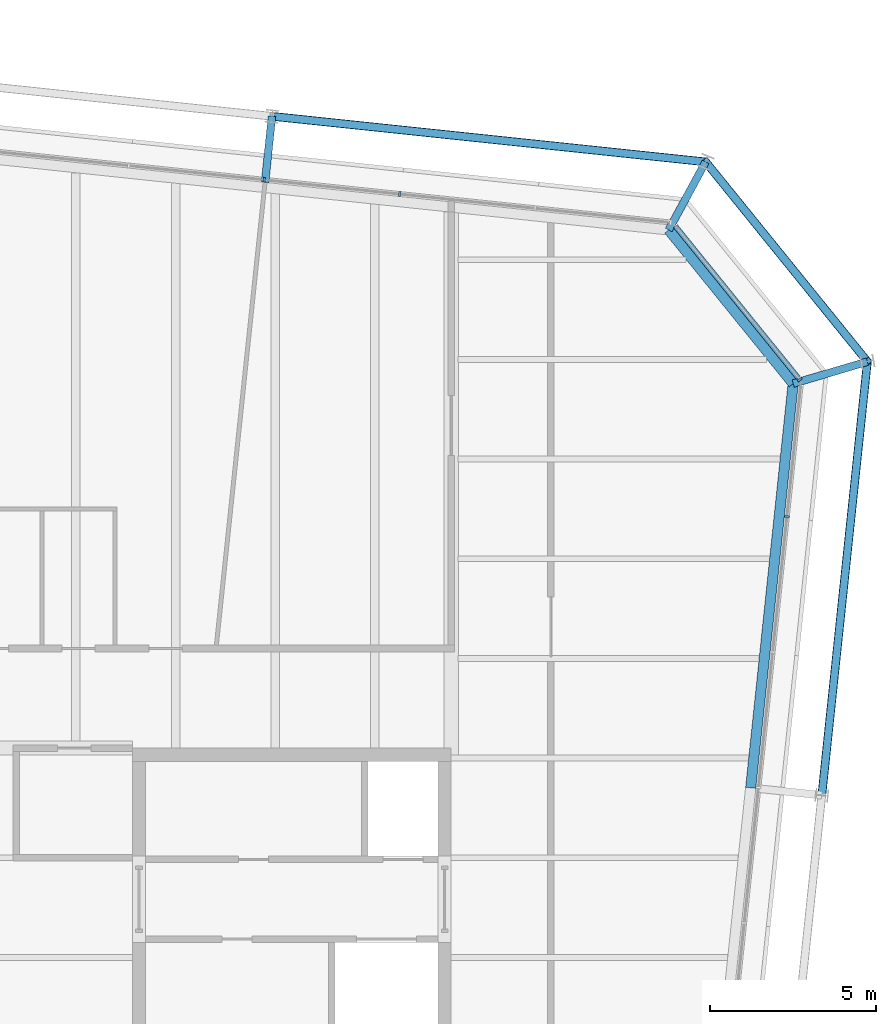
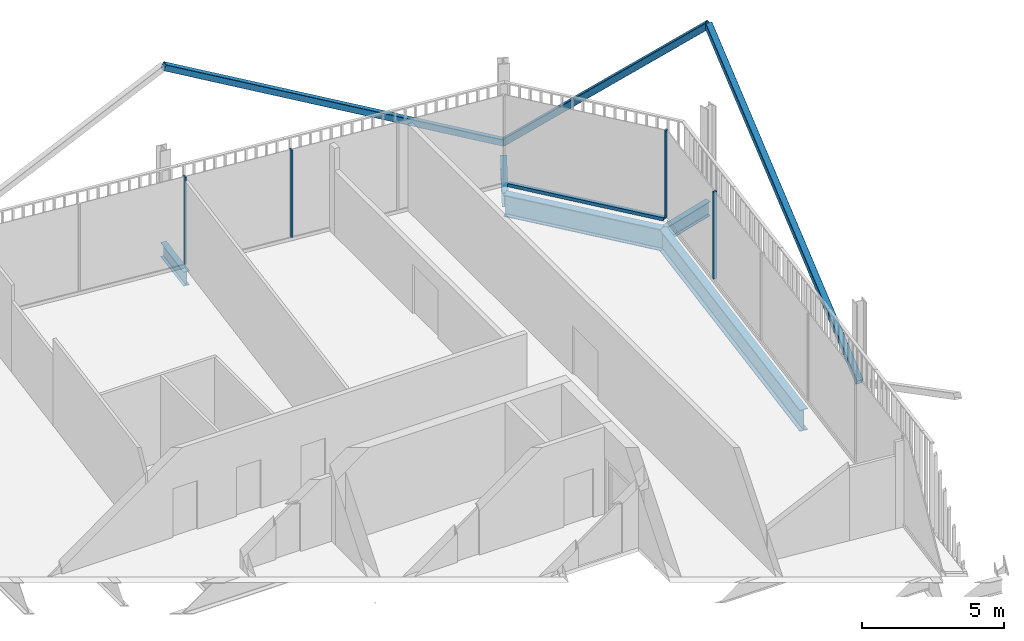
# One storey, part 15 of 21: 8 members, 5 beams, 3 elements without a shape of their own.
"""IFC4 building model written with IfcOpenShell, lengths in metres."""

import ifcopenshell
import ifcopenshell.guid

model = None  # the IFC model being written
_history = None  # IfcOwnerHistory: only IFC2X3 demands one
_inside = {}  # id of a spatial element -> (the spatial element, [elements in it])
_under = {}  # id of a project, library or spatial element -> (it, [spatial elements below it])
_declared = {}  # id of a project -> (the project, [libraries it declares])
_typed = {}  # id of a type object -> (the type object, [elements of that type])
_made_of = {}  # id of a material, layer set ... -> (it, [elements and type objects made of it])


def new_model(schema):
    """Start an empty IFC model of exactly this schema.

    Asked for "IFC4X3", IfcOpenShell would pick the latest addendum, in which some entities
    have other attributes; the version numbers below select the first issue.
    IFC2X3 requires an IfcOwnerHistory on every rooted entity: one is made here for all.
    """
    global model, _history
    if schema == "IFC4X3":
        model = ifcopenshell.file(schema_version=(4, 3, 0, 0))
    else:
        model = ifcopenshell.file(schema=schema)
    _inside.clear()
    _under.clear()
    _declared.clear()
    _typed.clear()
    _made_of.clear()
    _history = None
    if model.schema == "IFC2X3":
        org = make("IfcOrganization", Name="unknown")
        user = make(
            "IfcPersonAndOrganization",
            ThePerson=make("IfcPerson", FamilyName="unknown"),
            TheOrganization=org,
        )
        app = make(
            "IfcApplication",
            ApplicationDeveloper=org,
            Version="unknown",
            ApplicationFullName="unknown",
            ApplicationIdentifier="unknown",
        )
        _history = make(
            "IfcOwnerHistory",
            OwningUser=user,
            OwningApplication=app,
            ChangeAction="ADDED",
            CreationDate=0,
        )
    return model


def make(cls, **values):
    """One entity of the class cls with the attributes given. An attribute that is None is left unset."""
    return model.create_entity(
        cls, **{name: value for name, value in values.items() if value is not None}
    )


def rooted(cls, **values):
    """An entity with a GlobalId (a new one), such as an element, a storey or a relation."""
    return make(cls, GlobalId=ifcopenshell.guid.new(), OwnerHistory=_history, **values)


def si_unit(unit_type, name, prefix=None):
    """IfcSIUnit, for example si_unit("LENGTHUNIT", "METRE", prefix="MILLI")."""
    return make("IfcSIUnit", UnitType=unit_type, Prefix=prefix, Name=name)


def assignment(units):
    """IfcUnitAssignment: the units of a project."""
    return None if units is None else make("IfcUnitAssignment", Units=units)


def point(xyz):
    """IfcCartesianPoint."""
    return None if xyz is None else make("IfcCartesianPoint", Coordinates=xyz)


def direction(xyz):
    """IfcDirection."""
    return None if xyz is None else make("IfcDirection", DirectionRatios=xyz)


def frame(location, z_axis=None, x_axis=None):
    """IfcAxis2Placement3D, a coordinate frame: its origin and axes. An axis left out is left unset."""
    return make(
        "IfcAxis2Placement3D",
        Location=point(location),
        Axis=direction(z_axis),
        RefDirection=direction(x_axis),
    )


def frame_2d(location, x_axis=None):
    """IfcAxis2Placement2D, a coordinate frame in the plane: its origin and x axis."""
    return make(
        "IfcAxis2Placement2D", Location=point(location), RefDirection=direction(x_axis)
    )


def origin():
    """The frame at (0, 0, 0) with its axes left unset."""
    return frame((0.0, 0.0, 0.0))


def origin_2d():
    """The frame at (0, 0) in the plane with its x axis left unset."""
    return frame_2d((0.0, 0.0))


def place(relative_to, where):
    """IfcLocalPlacement: puts the frame where relative to a parent placement (None: the world)."""
    return make(
        "IfcLocalPlacement", PlacementRelTo=relative_to, RelativePlacement=where
    )


def context(
    kind, dimensions, precision=None, world=None, true_north=None, identifier=None
):
    """IfcGeometricRepresentationContext, for example the 3D "Model" context."""
    return make(
        "IfcGeometricRepresentationContext",
        ContextIdentifier=identifier,
        ContextType=kind,
        CoordinateSpaceDimension=dimensions,
        Precision=precision,
        WorldCoordinateSystem=world,
        TrueNorth=true_north,
    )


def subcontext(parent, identifier, kind, view, scale=None):
    """IfcGeometricRepresentationSubContext, for example "Body" below "Model"."""
    return make(
        "IfcGeometricRepresentationSubContext",
        ContextIdentifier=identifier,
        ContextType=kind,
        ParentContext=parent,
        TargetScale=scale,
        TargetView=view,
    )


def project(units=None, contexts=None):
    """IfcProject with its units and contexts."""
    return rooted(
        "IfcProject",
        Name="project",
        RepresentationContexts=contexts,
        UnitsInContext=assignment(units),
    )


def spatial(cls, under=None, at=None, **own):
    """A site, building, storey or space (cls), placed at a placement, below another one or the project."""
    s = rooted(cls, ObjectPlacement=at, **own)
    if under is not None:
        _under.setdefault(under.id(), (under, []))[1].append(s)
    return s


def profile(cls, at=None, kind="AREA", **sizes):
    """A parametric profile (cls). Its sizes go by their IFC names, for example OverallWidth=200.0."""
    return make(cls, ProfileType=kind, Position=at, **sizes)


def rectangle(**sizes):
    """IfcRectangleProfileDef."""
    return profile("IfcRectangleProfileDef", **sizes)


def hollow_rectangle(**sizes):
    """IfcRectangleHollowProfileDef."""
    return profile("IfcRectangleHollowProfileDef", **sizes)


def i_section(**sizes):
    """IfcIShapeProfileDef."""
    return profile("IfcIShapeProfileDef", **sizes)


def extrude(swept, where, along, depth):
    """IfcExtrudedAreaSolid: the profile swept, set in the frame where, extruded along a direction by depth."""
    return make(
        "IfcExtrudedAreaSolid",
        SweptArea=swept,
        Position=where,
        ExtrudedDirection=direction(along),
        Depth=depth,
    )


def shape(context_of_items, identifier, shape_type, items):
    """IfcShapeRepresentation: the items that make up one representation, for example the "Body"."""
    return make(
        "IfcShapeRepresentation",
        ContextOfItems=context_of_items,
        RepresentationIdentifier=identifier,
        RepresentationType=shape_type,
        Items=items,
    )


def material(Name=None, Category=None):
    """IfcMaterial."""
    return make("IfcMaterial", Name=Name, Category=Category)


def layer(
    of_material, thickness, ventilated=None, Name=None, Category=None, Priority=None
):
    """IfcMaterialLayer: one layer of a wall or slab, of a material (None: an air gap)."""
    return make(
        "IfcMaterialLayer",
        Material=of_material,
        LayerThickness=thickness,
        IsVentilated=ventilated,
        Name=Name,
        Category=Category,
        Priority=Priority,
    )


def layer_set(layers, Name=None):
    """IfcMaterialLayerSet."""
    return make("IfcMaterialLayerSet", MaterialLayers=layers, LayerSetName=Name)


def material_profile(
    of_material, cross_section, Name=None, Category=None, Priority=None
):
    """IfcMaterialProfile: a cross section and its material."""
    return make(
        "IfcMaterialProfile",
        Name=Name,
        Material=of_material,
        Profile=cross_section,
        Priority=Priority,
        Category=Category,
    )


def profile_set(profiles, Name=None, composite=None):
    """IfcMaterialProfileSet."""
    return make(
        "IfcMaterialProfileSet",
        Name=Name,
        MaterialProfiles=profiles,
        CompositeProfile=composite,
    )


def made_of(thing, what):
    """Note that an element or type object is made of a material, layer set ...; save() writes the relation."""
    if what is not None:
        _made_of.setdefault(what.id(), (what, []))[1].append(thing)
    return thing


def type_object(cls, material=None, **own):
    """A type object (cls), such as IfcWallType, which elements share."""
    return made_of(rooted(cls, **own), material)


def element(
    cls,
    number,
    at=None,
    inside=None,
    cuts=None,
    type_object=None,
    material=None,
    context=None,
    identifier="Body",
    shape_type=None,
    held_by="IfcProductDefinitionShape",
    body=None,
    shapes=None,
    **own,
):
    """One element of the class cls, such as IfcWall. Its Tag is "e" and its number.

    at: its placement. inside: the storey or other place that contains it. cuts: it is an
    opening in that element (IfcRelVoidsElement). A single representation is given by context,
    identifier, shape_type and body (its items); several are given by shapes. held_by: the class
    of the entity that holds the representations. save() writes the other relations.
    """
    e = rooted(cls, Tag="e%d" % number, ObjectPlacement=at, **own)
    if body is not None:
        shapes = [shape(context, identifier, shape_type, body)]
    if shapes is not None:
        e.Representation = make(held_by, Representations=shapes)
    if inside is not None:
        _inside.setdefault(inside.id(), (inside, []))[1].append(e)
    if cuts is not None:
        rooted(
            "IfcRelVoidsElement", RelatingBuildingElement=cuts, RelatedOpeningElement=e
        )
    if type_object is not None:
        _typed.setdefault(type_object.id(), (type_object, []))[1].append(e)
    return made_of(e, material)


def aggregate(whole, parts):
    """IfcRelAggregates: a whole, such as a stair, and the parts it consists of."""
    return rooted("IfcRelAggregates", RelatingObject=whole, RelatedObjects=parts)


def save(model, path):
    """Write the relations noted so far, then the file.

    IfcRelAggregates (storeys below a building ...), IfcRelContainedInSpatialStructure (elements
    in a storey), IfcRelDefinesByType, IfcRelAssociatesMaterial and IfcRelDeclares: one each for
    every whole, place, type object, material and project.
    """
    for whole, parts in _under.values():
        aggregate(whole, parts)
    for where, things in _inside.values():
        rooted(
            "IfcRelContainedInSpatialStructure",
            RelatedElements=things,
            RelatingStructure=where,
        )
    for kind, things in _typed.values():
        rooted("IfcRelDefinesByType", RelatedObjects=things, RelatingType=kind)
    for what, things in _made_of.values():
        rooted("IfcRelAssociatesMaterial", RelatedObjects=things, RelatingMaterial=what)
    for by, libraries in _declared.values():
        rooted("IfcRelDeclares", RelatingContext=by, RelatedDefinitions=libraries)
    model.write(path)


model = new_model("IFC4")

# Units and contexts
model_context = context("Model", 3, precision=1e-05, world=origin(), true_north=direction((0.0, 1.0)))
body_context = subcontext(model_context, "Body", "Model", "MODEL_VIEW")
ifc_project = project(units=[si_unit("LENGTHUNIT", "METRE"), si_unit("AREAUNIT", "SQUARE_METRE"), si_unit("VOLUMEUNIT", "CUBIC_METRE"), si_unit("PLANEANGLEUNIT", "RADIAN"), si_unit("MASSUNIT", "GRAM", prefix="KILO")], contexts=[model_context])

# Site, building, storey
site_placement = place(None, origin())
site = spatial("IfcSite", under=ifc_project, at=site_placement, CompositionType="ELEMENT")
building_placement = place(site_placement, origin())
building = spatial("IfcBuilding", under=site, at=building_placement, Name="Millrace Tower", CompositionType="ELEMENT")
storey_placement = place(building_placement, frame((0.0, 0.0, 283.800048828125)))
storey = spatial("IfcBuildingStorey", under=building, at=storey_placement, Name="L65", CompositionType="ELEMENT", Elevation=283.800048828125)

# Curtain wall, member
ifc_material_1 = material(Name="Aluminium and glass", Category="aluminium")
ifc_layer = layer(ifc_material_1, 0.14990234375)
ifc_layer_set = layer_set([ifc_layer], Name="Aluminium and glass")
curtain_wall_type = type_object("IfcCurtainWallType", Name="CW-1 office vision curtain wall", PredefinedType="NOTDEFINED", material=ifc_layer_set)
placement = place(storey_placement, origin())
curtain_wall_1 = element("IfcCurtainWall", 1, at=placement, inside=storey, type_object=curtain_wall_type, Name="Curtain wall E-F04 L65", PredefinedType="NOTDEFINED")
ifc_material_2 = material(Name="Aluminium", Category="aluminium")
ifc_material_profile_1 = material_profile(ifc_material_2, rectangle(XDim=0.06494140625, YDim=0.14990234375, at=origin_2d()))
ifc_profile_set_1 = profile_set([ifc_material_profile_1], Name="Aluminium")
member_type_1 = type_object("IfcMemberType", Name="CW-1 office vision curtain wall mullion", PredefinedType="MULLION", material=ifc_profile_set_1)
member_1_placement = place(storey_placement, frame((24.4033203125, 16.267822265625, 0.139892578125), z_axis=(0.0, 0.0, 1.0), x_axis=(0.104528455196, 0.994521896217, 0.0)))
member_1 = element("IfcMember", 2, at=member_1_placement, type_object=member_type_1, Name="CW1 mullion E-F04.9", PredefinedType="MULLION", context=body_context, shape_type="SweptSolid", body=[
    extrude(rectangle(XDim=0.06494140625, YDim=0.14990234375, at=origin_2d()), origin(), (0.0, 0.0, 1.0), 3.760009765625),
])
aggregate(curtain_wall_1, [member_1])

curtain_wall_2 = element("IfcCurtainWall", 3, at=placement, inside=storey, type_object=curtain_wall_type, Name="Curtain wall E-F05 L65", PredefinedType="NOTDEFINED")
member_2_placement = place(storey_placement, frame((24.791748046875, 20.393310546875, 0.139892578125), z_axis=(0.0, 0.0, 1.0), x_axis=(-0.629320278945, 0.777146052237, 0.0)))
member_2 = element("IfcMember", 4, at=member_2_placement, type_object=member_type_1, Name="CW1 mullion E-F05.1", PredefinedType="MULLION", context=body_context, shape_type="SweptSolid", body=[
    extrude(rectangle(XDim=0.06494140625, YDim=0.14990234375, at=origin_2d()), origin(), (0.0, 0.0, 1.0), 3.760009765625),
])

# Curtain wall, members
curtain_wall_3 = element("IfcCurtainWall", 5, at=placement, inside=storey, type_object=curtain_wall_type, Name="Curtain wall E-F06 L65", PredefinedType="NOTDEFINED")
member_3_placement = place(storey_placement, frame((12.747314453125, 25.98193359375, 0.139892578125), z_axis=(0.0, 0.0, 1.0), x_axis=(-0.994521896217, 0.104528455196, 0.0)))
member_3 = element("IfcMember", 6, at=member_3_placement, type_object=member_type_1, Name="CW1 mullion E-F06.3", PredefinedType="MULLION", context=body_context, shape_type="SweptSolid", body=[
    extrude(rectangle(XDim=0.06494140625, YDim=0.14990234375, at=origin_2d()), origin(), (0.0, 0.0, 1.0), 3.760009765625),
])
member_4_placement = place(storey_placement, frame((8.669921875, 26.410400390625, 0.139892578125), z_axis=(0.0, 0.0, 1.0), x_axis=(-0.994521896217, 0.104528455196, 0.0)))
member_4 = element("IfcMember", 7, at=member_4_placement, type_object=member_type_1, Name="CW1 mullion E-F06.4", PredefinedType="MULLION", context=body_context, shape_type="SweptSolid", body=[
    extrude(rectangle(XDim=0.06494140625, YDim=0.14990234375, at=origin_2d()), origin(), (0.0, 0.0, 1.0), 3.760009765625),
])
aggregate(curtain_wall_3, [member_3, member_4])

# Member
ifc_material_3 = material(Name="Aluminium", Category="aluminium")
ifc_material_profile_2 = material_profile(ifc_material_3, rectangle(XDim=0.14990234375, YDim=0.139892578125, at=origin_2d()))
ifc_profile_set_2 = profile_set([ifc_material_profile_2], Name="Aluminium")
member_type_2 = type_object("IfcMemberType", Name="CW-1 office vision curtain wall transom", PredefinedType="USERDEFINED", material=ifc_profile_set_2)
member_5_placement = place(storey_placement, frame((24.749267578125, 20.44580078125, 0.070068359375), z_axis=(-0.629321221277, 0.777145289151, 0.0), x_axis=(-0.777145289151, -0.629321221277, 0.0)))
member_5 = element("IfcMember", 8, at=member_5_placement, type_object=member_type_2, Name="CW1 transom E-F05.1", ObjectType="TRANSOM", PredefinedType="USERDEFINED", context=body_context, shape_type="SweptSolid", body=[
    extrude(rectangle(XDim=0.14990234375, YDim=0.139892578125, at=origin_2d()), origin(), (0.0, 0.0, 1.0), 5.881103515625),
])

aggregate(curtain_wall_2, [member_2, member_5])

# Members
ifc_material_4 = material(Name="Steel ASTM A500 Grade C", Category="steel")
ifc_material_profile_3 = material_profile(ifc_material_4, hollow_rectangle(XDim=0.25390625, YDim=0.25390625, WallThickness=0.0126953125, InnerFilletRadius=0.00634765625, OuterFilletRadius=0.01904296875, at=origin_2d()))
ifc_profile_set_3 = profile_set([ifc_material_profile_3], Name="Steel ASTM A500 Grade C")
member_type_3 = type_object("IfcMemberType", Name="Exoskeleton brace HSS10x10x1/2", PredefinedType="BRACE", material=ifc_profile_set_3)
member_6_placement = place(storey_placement, frame((25.457275390625, 7.879150390625, 0.39990234375), z_axis=(0.092236950483, 0.877571982182, 0.470488853274), x_axis=(-0.994521846076, 0.104528932251, 0.0)))
element("IfcMember", 9, at=member_6_placement, inside=storey, type_object=member_type_3, Name="BRC-E-L65-08", PredefinedType="BRACE", context=body_context, shape_type="SweptSolid", body=[
    extrude(hollow_rectangle(XDim=0.25390625, YDim=0.25390625, WallThickness=0.0126953125, InnerFilletRadius=0.00634765625, OuterFilletRadius=0.01904296875, at=origin_2d()), origin(), (0.0, 0.0, 1.0), 14.878173828125),
])
member_7_placement = place(storey_placement, frame((21.9599609375, 26.94921875, 0.39990234375), z_axis=(0.466694392708, -0.57631352586, 0.670864415308), x_axis=(0.777142728993, 0.62932438279, 0.0)))
element("IfcMember", 10, at=member_7_placement, inside=storey, type_object=member_type_3, Name="BRC-E-L65-09", PredefinedType="BRACE", context=body_context, shape_type="SweptSolid", body=[
    extrude(hollow_rectangle(XDim=0.25390625, YDim=0.25390625, WallThickness=0.0126953125, InnerFilletRadius=0.00634765625, OuterFilletRadius=0.01904296875, at=origin_2d()), origin(), (0.0, 0.0, 1.0), 10.434326171875),
])
member_8_placement = place(storey_placement, frame((21.9599609375, 26.94921875, 0.39990234375), z_axis=(-0.877571982182, 0.092236950483, 0.470488853274), x_axis=(-0.104528932251, -0.994521846076, 0.0)))
element("IfcMember", 11, at=member_8_placement, inside=storey, type_object=member_type_3, Name="BRC-E-L65-10", PredefinedType="BRACE", context=body_context, shape_type="SweptSolid", body=[
    extrude(hollow_rectangle(XDim=0.25390625, YDim=0.25390625, WallThickness=0.0126953125, InnerFilletRadius=0.00634765625, OuterFilletRadius=0.01904296875, at=origin_2d()), origin(), (0.0, 0.0, 1.0), 14.878173828125),
])

# Beams
ifc_material_5 = material(Name="Steel ASTM A992 Grade 50", Category="steel")
ifc_material_profile_4 = material_profile(ifc_material_5, i_section(OverallWidth=0.23046875, OverallDepth=0.6171875, WebThickness=0.01318359375, FlangeThickness=0.022216796875, FilletRadius=0.012939453125, at=origin_2d()))
ifc_profile_set_4 = profile_set([ifc_material_profile_4], Name="Steel ASTM A992 Grade 50")
beam_type_1 = type_object("IfcBeamType", Name="Link beam W24x94", PredefinedType="BEAM", material=ifc_profile_set_4)
beam_1_placement = place(storey_placement, frame((8.6943359375, 26.33251953125, -0.46875), z_axis=(0.104494148666, 0.99452550138, 0.0), x_axis=(-0.99452550138, 0.104494148666, 0.0)))
element("IfcBeam", 12, at=beam_1_placement, inside=storey, type_object=beam_type_1, Name="LNK-E-L65-S1-07", PredefinedType="BEAM", context=body_context, shape_type="SweptSolid", body=[
    extrude(i_section(OverallWidth=0.23046875, OverallDepth=0.6171875, WebThickness=0.01318359375, FlangeThickness=0.022216796875, FilletRadius=0.012939453125, at=origin_2d()), origin(), (0.0, 0.0, 1.0), 2.0),
])
for number, where, z_axis, x_axis, name in (
    (13, (20.84765625, 24.900634765625, -0.46875), (0.477163510307, 0.87881453358, 0.0), (-0.87881453358, 0.477163510307, 0.0), "LNK-E-L65-S1-08"),
    (14, (24.594482421875, 20.273681640625, -0.46875), (0.958815015936, 0.284031275065, 0.0), (-0.284031275065, 0.958815015936, 0.0), "LNK-E-L65-S1-09"),
):
    element("IfcBeam", number, at=place(storey_placement, frame(where, z_axis=z_axis, x_axis=x_axis)), inside=storey, type_object=beam_type_1, Name=name, PredefinedType="BEAM", context=body_context, shape_type="SweptSolid", body=[
        extrude(i_section(OverallWidth=0.23046875, OverallDepth=0.6171875, WebThickness=0.01318359375, FlangeThickness=0.022216796875, FilletRadius=0.012939453125, at=origin_2d()), origin(), (0.0, 0.0, 1.0), 2.3310546875),
    ])
ifc_material_6 = material(Name="Steel ASTM A992 Grade 50", Category="steel")
ifc_material_profile_5 = material_profile(ifc_material_6, i_section(OverallWidth=0.307373046875, OverallDepth=0.927001953125, WebThickness=0.01953125, FlangeThickness=0.031982421875, FilletRadius=0.01904296875, at=origin_2d()))
ifc_profile_set_5 = profile_set([ifc_material_profile_5], Name="Steel ASTM A992 Grade 50")
beam_type_2 = type_object("IfcBeamType", Name="Ring beam medium span W36x194", PredefinedType="SPANDREL", material=ifc_profile_set_5)
beam_2_placement = place(storey_placement, frame((24.594482421875, 20.273681640625, -0.62353515625), z_axis=(-0.104527955888, -0.994521948696, 0.0), x_axis=(0.994521948696, -0.104527955888, 0.0)))
element("IfcBeam", 15, at=beam_2_placement, inside=storey, type_object=beam_type_2, Name="RNG-E-L65-S1-09", PredefinedType="SPANDREL", context=body_context, shape_type="SweptSolid", body=[
    extrude(i_section(OverallWidth=0.307373046875, OverallDepth=0.927001953125, WebThickness=0.01953125, FlangeThickness=0.031982421875, FilletRadius=0.01904296875, at=origin_2d()), origin(), (0.0, 0.0, 1.0), 12.236572265625),
])
ifc_material_7 = material(Name="Steel ASTM A992 Grade 50", Category="steel")
ifc_material_profile_6 = material_profile(ifc_material_7, i_section(OverallWidth=0.307373046875, OverallDepth=0.927001953125, WebThickness=0.01953125, FlangeThickness=0.031982421875, FilletRadius=0.01904296875, at=origin_2d()))
ifc_profile_set_6 = profile_set([ifc_material_profile_6], Name="Steel ASTM A992 Grade 50")
beam_type_3 = type_object("IfcBeamType", Name="Ring beam short span W36x194", PredefinedType="SPANDREL", material=ifc_profile_set_6)
beam_3_placement = place(storey_placement, frame((20.84765625, 24.900634765625, -0.62353515625), z_axis=(0.629319722443, -0.777146502883, 0.0), x_axis=(0.777146502883, 0.629319722443, 0.0)))
element("IfcBeam", 16, at=beam_3_placement, inside=storey, type_object=beam_type_3, Name="RNG-E-L65-S1-08", PredefinedType="SPANDREL", context=body_context, shape_type="SweptSolid", body=[
    extrude(i_section(OverallWidth=0.307373046875, OverallDepth=0.927001953125, WebThickness=0.01953125, FlangeThickness=0.031982421875, FilletRadius=0.01904296875, at=origin_2d()), origin(), (0.0, 0.0, 1.0), 5.953857421875),
])

save(model, "model.ifc")
